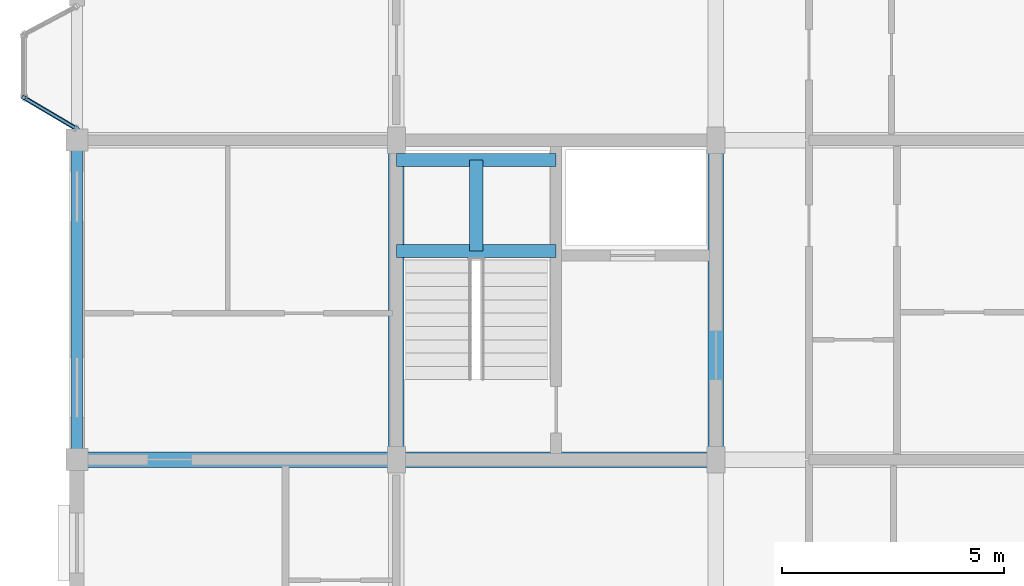
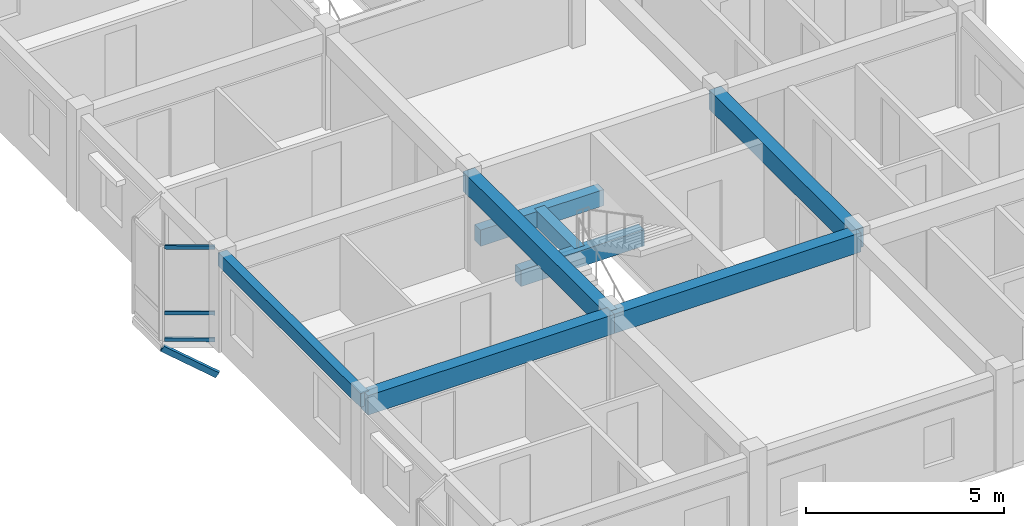
# One storey, part 17 of 70: 8 beams, 4 members, 1 element without a shape of its own.
"""IFC4 building model written with IfcOpenShell, lengths in metres."""

from ifc_helpers import new_model, si_unit, direction, frame, origin, origin_2d, place, context, subcontext, project, spatial, rectangle, hollow_rectangle, extrude, material, layer, layer_set, material_profile, profile_set, type_object, element, aggregate, save


model = new_model("IFC4")

# Units and contexts
model_context = context("Model", 3, precision=1e-05, world=origin(), true_north=direction((0.0, 1.0)))
body_context = subcontext(model_context, "Body", "Model", "MODEL_VIEW")
ifc_project = project(units=[si_unit("LENGTHUNIT", "METRE"), si_unit("AREAUNIT", "SQUARE_METRE"), si_unit("VOLUMEUNIT", "CUBIC_METRE"), si_unit("PLANEANGLEUNIT", "RADIAN"), si_unit("MASSUNIT", "GRAM", prefix="KILO"), si_unit("THERMODYNAMICTEMPERATUREUNIT", "KELVIN"), si_unit("POWERUNIT", "WATT")], contexts=[model_context])

# Site, building, storey
site_placement = place(None, origin())
site = spatial("IfcSite", under=ifc_project, at=site_placement, CompositionType="ELEMENT")
building_placement = place(site_placement, origin())
building = spatial("IfcBuilding", under=site, at=building_placement, Name="Tavuni Mirador Residences", CompositionType="ELEMENT")
storey_placement = place(building_placement, frame((0.0, 0.0, 23.39990234375)))
storey = spatial("IfcBuildingStorey", under=building, at=storey_placement, Name="L07", CompositionType="ELEMENT", Elevation=23.39990234375)

# Beams
ifc_material_1 = material(Name="Precast concrete C40/50", Category="concrete")
ifc_material_profile_1 = material_profile(ifc_material_1, rectangle(XDim=0.300048828125, YDim=0.5, at=origin_2d()), Name="PC 300x500", Category="concrete")
ifc_profile_set_1 = profile_set([ifc_material_profile_1], Name="Precast concrete C40/50")
beam_type_1 = type_object("IfcBeamType", Name="BT-B500", PredefinedType="BEAM", material=ifc_profile_set_1)
for number, where, z_axis, x_axis, name in (
    (1, (10.800048828125, 76.699951171875, 1.14501953125), (1.0, 0.0, 0.0), (0.0, 1.0, 0.0), "HLB1-C3-L07"),
    (2, (10.800048828125, 78.75, 1.14501953125), (1.0, 0.0, 0.0), (0.0, 1.0, 0.0), "HLB2-C3-L07"),
):
    element("IfcBeam", number, at=place(storey_placement, frame(where, z_axis=z_axis, x_axis=x_axis)), inside=storey, type_object=beam_type_1, Name=name, PredefinedType="BEAM", context=body_context, shape_type="SweptSolid", body=[
        extrude(rectangle(XDim=0.300048828125, YDim=0.5, at=origin_2d()), origin(), (0.0, 0.0, 1.0), 3.599853515625),
    ])
beam_1_placement = place(storey_placement, frame((12.60009765625, 76.699951171875, 1.14501953125), z_axis=(0.0, 1.0, 0.0), x_axis=(-1.0, 0.0, 0.0)))
element("IfcBeam", 3, at=beam_1_placement, inside=storey, type_object=beam_type_1, Name="HLB3-C3-L07", PredefinedType="BEAM", context=body_context, shape_type="SweptSolid", body=[
    extrude(rectangle(XDim=0.300048828125, YDim=0.5, at=origin_2d()), origin(), (0.0, 0.0, 1.0), 2.050048828125),
])
ifc_material_profile_2 = material_profile(ifc_material_1, rectangle(XDim=0.35009765625, YDim=0.60009765625, at=origin_2d()), Name="PC 350x600", Category="concrete")
ifc_profile_set_2 = profile_set([ifc_material_profile_2], Name="Precast concrete C40/50")
beam_type_2 = type_object("IfcBeamType", Name="BT-B600", PredefinedType="BEAM", material=ifc_profile_set_2)
for number, where, z_axis, x_axis, name in (
    (4, (3.60009765625, 72.0, 2.610107421875), (1.0, 0.0, 0.0), (0.0, 1.0, 0.0), "BMX-BLK-B-L07-00-01"),
    (5, (10.800048828125, 72.0, 2.610107421875), (1.0, 0.0, 0.0), (0.0, 1.0, 0.0), "BMX-BLK-B-L07-01-01"),
    (6, (10.800048828125, 72.0, 2.610107421875), (0.0, 1.0, 0.0), (-1.0, 0.0, 0.0), "BMY-BLK-B-L07-01-01"),
    (7, (18.0, 72.0, 2.610107421875), (0.0, 1.0, 0.0), (-1.0, 0.0, 0.0), "BMY-BLK-B-L07-02-01"),
):
    element("IfcBeam", number, at=place(storey_placement, frame(where, z_axis=z_axis, x_axis=x_axis)), inside=storey, type_object=beam_type_2, Name=name, PredefinedType="BEAM", context=body_context, shape_type="SweptSolid", body=[
        extrude(rectangle(XDim=0.35009765625, YDim=0.60009765625, at=origin_2d()), origin(), (0.0, 0.0, 1.0), 7.199951171875),
    ])
ifc_material_profile_3 = material_profile(ifc_material_1, rectangle(XDim=0.25, YDim=0.419921875, at=origin_2d()), Name="PC 250x420", Category="concrete")
ifc_profile_set_3 = profile_set([ifc_material_profile_3], Name="Precast concrete C40/50")
beam_type_3 = type_object("IfcBeamType", Name="BT-SP420", PredefinedType="SPANDREL", material=ifc_profile_set_3)
beam_2_placement = place(storey_placement, frame((3.60009765625, 72.0, 2.7001953125), z_axis=(0.0, 1.0, 0.0), x_axis=(-1.0, 0.0, 0.0)))
element("IfcBeam", 8, at=beam_2_placement, inside=storey, type_object=beam_type_3, Name="BMY-BLK-B-L07-00-01", PredefinedType="SPANDREL", context=body_context, shape_type="SweptSolid", body=[
    extrude(rectangle(XDim=0.25, YDim=0.419921875, at=origin_2d()), origin(), (0.0, 0.0, 1.0), 7.199951171875),
])

# Curtain wall, members
ifc_material_2 = material(Name="Anodised aluminium", Category="aluminium")
ifc_layer = layer(ifc_material_2, 0.1650390625, Name="Anodised aluminium", Category="aluminium")
ifc_layer_set = layer_set([ifc_layer], Name="Anodised aluminium")
curtain_wall_type = type_object("IfcCurtainWallType", Name="CWT-MIR-A", PredefinedType="NOTDEFINED", material=ifc_layer_set)
curtain_wall_placement = place(storey_placement, origin())
curtain_wall = element("IfcCurtainWall", 9, at=curtain_wall_placement, inside=storey, type_object=curtain_wall_type, Name="CW-MIR-B-W2-L07-M2", PredefinedType="NOTDEFINED")
ifc_material_profile_4 = material_profile(ifc_material_2, hollow_rectangle(XDim=0.06005859375, YDim=0.110107421875, WallThickness=0.00390625, at=origin_2d()), Name="ALU 60x110x4.0", Category="aluminium")
ifc_profile_set_4 = profile_set([ifc_material_profile_4], Name="Anodised aluminium")
member_type_1 = type_object("IfcMemberType", Name="CWT-110", PredefinedType="USERDEFINED", material=ifc_profile_set_4)
member_1_placement = place(storey_placement, frame((2.45166015625, 80.12939453125, 0.030029296875), z_axis=(0.860621238039, -0.509245603452, 0.0), x_axis=(0.509245603452, 0.860621238039, 0.0)))
member_1 = element("IfcMember", 10, at=member_1_placement, type_object=member_type_1, Name="CW-01 transom 1.1", ObjectType="TRANSOM", PredefinedType="USERDEFINED", context=body_context, shape_type="SweptSolid", body=[
    extrude(hollow_rectangle(XDim=0.06005859375, YDim=0.110107421875, WallThickness=0.00390625, at=origin_2d()), origin(), (0.0, 0.0, 1.0), 1.274169921875),
])
member_2_placement = place(storey_placement, frame((2.45166015625, 80.12939453125, 0.85009765625), z_axis=(0.860621238039, -0.509245603452, 0.0), x_axis=(0.509245603452, 0.860621238039, 0.0)))
member_2 = element("IfcMember", 11, at=member_2_placement, type_object=member_type_1, Name="CW-01 transom 1.2", ObjectType="TRANSOM", PredefinedType="USERDEFINED", context=body_context, shape_type="SweptSolid", body=[
    extrude(hollow_rectangle(XDim=0.06005859375, YDim=0.110107421875, WallThickness=0.00390625, at=origin_2d()), origin(), (0.0, 0.0, 1.0), 1.274169921875),
])
member_3_placement = place(storey_placement, frame((2.45166015625, 80.12939453125, 2.880126953125), z_axis=(0.860621238039, -0.509245603452, 0.0), x_axis=(0.509245603452, 0.860621238039, 0.0)))
member_3 = element("IfcMember", 12, at=member_3_placement, type_object=member_type_1, Name="CW-01 transom 1.3", ObjectType="TRANSOM", PredefinedType="USERDEFINED", context=body_context, shape_type="SweptSolid", body=[
    extrude(hollow_rectangle(XDim=0.06005859375, YDim=0.110107421875, WallThickness=0.00390625, at=origin_2d()), origin(), (0.0, 0.0, 1.0), 1.274169921875),
])
aggregate(curtain_wall, [member_1, member_2, member_3])

# Member
ifc_material_3 = material(Name="Structural steel S355", Category="steel")
ifc_material_profile_5 = material_profile(ifc_material_3, hollow_rectangle(XDim=0.10009765625, YDim=0.179931640625, WallThickness=0.008056640625, at=origin_2d()), Name="RHS 180x100x8.0", Category="steel")
ifc_profile_set_5 = profile_set([ifc_material_profile_5], Name="Structural steel S355")
member_type_2 = type_object("IfcMemberType", Name="MT-BR-RHS180", PredefinedType="BRACE", material=ifc_profile_set_5)
member_4_placement = place(storey_placement, frame((3.60009765625, 79.449951171875, -1.0498046875), z_axis=(-0.744284769338, 0.440272601553, 0.502195398677), x_axis=(-0.50913035723, -0.860689420957, 0.0)))
element("IfcMember", 13, at=member_4_placement, inside=storey, type_object=member_type_2, Name="MBRK-MIR-B-W2-L07-1", PredefinedType="BRACE", context=body_context, shape_type="SweptSolid", body=[
    extrude(hollow_rectangle(XDim=0.10009765625, YDim=0.179931640625, WallThickness=0.008056640625, at=origin_2d()), origin(), (0.0, 0.0, 1.0), 1.612548828125),
])

save(model, "model.ifc")
